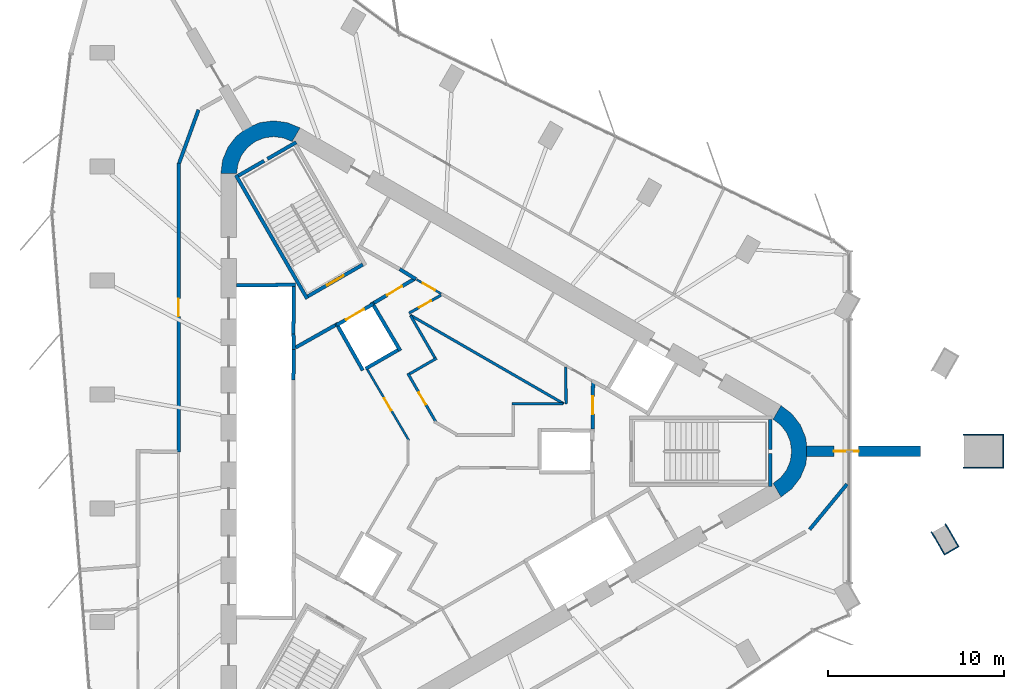
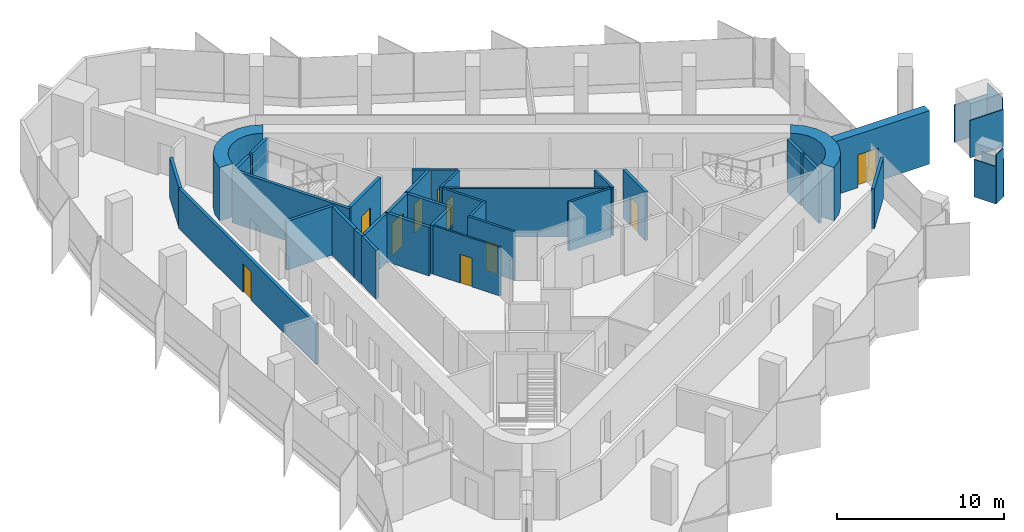
# One storey, part 9 of 12: 39 walls, 10 doors, 10 openings.
"""IFC4 building model written with IfcOpenShell, lengths in metres."""

from ifc_helpers import new_model, si_unit, direction, frame, frame_2d, origin, place, context, subcontext, project, spatial, polyline, rectangle, outline, extrude, material, layer, layer_set, type_object, element, fill, save


model = new_model("IFC4")

# Units and contexts
model_context = context("Model", 3, precision=1e-05, world=origin(), true_north=direction((0.0, 1.0)))
body_context = subcontext(model_context, "Body", "Model", "MODEL_VIEW")
ifc_project = project(units=[si_unit("LENGTHUNIT", "METRE"), si_unit("AREAUNIT", "SQUARE_METRE"), si_unit("VOLUMEUNIT", "CUBIC_METRE"), si_unit("PLANEANGLEUNIT", "RADIAN"), si_unit("MASSUNIT", "GRAM", prefix="KILO")], contexts=[model_context])

# Site, building, storey
site_placement = place(None, origin())
site = spatial("IfcSite", under=ifc_project, at=site_placement, CompositionType="ELEMENT")
building_placement = place(site_placement, origin())
building = spatial("IfcBuilding", under=site, at=building_placement, Name="Tanit Gate Tower", CompositionType="ELEMENT")
storey_placement = place(building_placement, frame((0.0, 0.0, 388.39990234375)))
storey = spatial("IfcBuildingStorey", under=building, at=storey_placement, Name="L89", CompositionType="ELEMENT", Elevation=388.39990234375)

# Wall, opening, door
ifc_material_1 = material(Name="Concrete C40/50", Category="concrete")
ifc_layer_1 = layer(ifc_material_1, 0.60009765625)
ifc_layer_set_1 = layer_set([ifc_layer_1], Name="BUTTRESS FIN 600 C40/50")
wall_type_1 = type_object("IfcWallType", Name="BUTTRESS FIN 600 C40/50", PredefinedType="SHEAR", material=ifc_layer_set_1)
wall_1_placement = place(storey_placement, frame((21.14990234375, 0.0, 0.0), z_axis=(0.0, 0.0, 1.0), x_axis=(1.0, 0.0, 0.0)))
wall_1 = element("IfcWall", 1, at=wall_1_placement, inside=storey, type_object=wall_type_1, Name="BUTTRESS FIN", PredefinedType="SHEAR", context=body_context, shape_type="SweptSolid", body=[
    extrude(rectangle(XDim=6.455078125, YDim=0.60009765625, at=frame_2d((3.2275390625, 0.0))), origin(), (0.0, 0.0, 1.0), 3.900146484375),
])
opening_1_placement = place(wall_1_placement, frame((1.550048828125, 0.0, 0.0)))
opening_1 = element("IfcOpeningElement", 2, at=opening_1_placement, cuts=wall_1, Name="Opening P14-89-F-E-1", PredefinedType="OPENING", context=body_context, shape_type="SweptSolid", body=[
    extrude(rectangle(XDim=1.39990234375, YDim=2.39990234375, at=frame_2d((0.699951171875, 1.199951171875))), frame((0.0, 0.31005859375, 0.0), z_axis=(0.0, -1.0, 0.0), x_axis=(1.0, 0.0, 0.0)), (0.0, 0.0, 1.0), 0.6201171875),
])
ifc_material_2 = material(Name="Timber door leaf", Category="wood")
door_type_1 = type_object("IfcDoorType", Name="INT-DOOR-FIN-PAIR-1400", OperationType="NOTDEFINED", PredefinedType="NOTDEFINED", material=ifc_material_2)
door_1_placement = place(opening_1_placement, origin())
door_1 = element("IfcDoor", 3, at=door_1_placement, inside=storey, type_object=door_type_1, Name="Door P14-89-F-E-1", OperationType="DOUBLE_DOOR_SINGLE_SWING", OverallHeight=2.39990234375, OverallWidth=1.39990234375, PredefinedType="NOTDEFINED", context=body_context, shape_type="SweptSolid", body=[
    extrude(rectangle(XDim=1.39990234375, YDim=2.39990234375, at=frame_2d((0.699951171875, 1.199951171875))), frame((0.0, 0.02490234375, 0.0), z_axis=(0.0, -1.0, 0.0), x_axis=(1.0, 0.0, 0.0)), (0.0, 0.0, 1.0), 0.050048828125),
])
fill(opening_1, door_1)

# Walls
ifc_material_3 = material(Name="Concrete C40/50", Category="concrete")
ifc_layer_2 = layer(ifc_material_3, 0.89990234375)
ifc_layer_set_2 = layer_set([ifc_layer_2], Name="CORE WALL 900 C40/50")
wall_type_2 = type_object("IfcWallType", Name="CORE WALL 900 C40/50", PredefinedType="SHEAR", material=ifc_layer_set_2)
wall_2_placement = place(storey_placement, origin())
element("IfcWall", 4, at=wall_2_placement, inside=storey, type_object=wall_type_2, Name="CORE WALL CORNER", PredefinedType="SHEAR", context=body_context, shape_type="SweptSolid", body=[
    extrude(outline(polyline([(-7.60009765625, 18.359619140625), (-8.323486328125, 18.659423828125), (-9.10009765625, 18.76171875), (-9.87646484375, 18.659423828125), (-10.60009765625, 18.359619140625), (-11.22119140625, 17.883056640625), (-11.697998046875, 17.26171875), (-11.997802734375, 16.5380859375), (-12.10009765625, 15.76171875), (-11.199951171875, 15.76171875), (-11.12841796875, 16.30517578125), (-10.918701171875, 16.811767578125), (-10.5849609375, 17.24658203125), (-10.14990234375, 17.580322265625), (-9.6435546875, 17.7900390625), (-9.10009765625, 17.86181640625), (-8.556396484375, 17.7900390625), (-8.050048828125, 17.580322265625), (-7.60009765625, 18.359619140625)])), origin(), (0.0, 0.0, 1.0), 3.900146484375),
])
wall_3_placement = place(storey_placement, origin())
element("IfcWall", 5, at=wall_3_placement, inside=storey, type_object=wall_type_2, Name="CORE WALL CORNER", PredefinedType="SHEAR", context=body_context, shape_type="SweptSolid", body=[
    extrude(outline(polyline([(19.699951171875, -2.59814453125), (20.3212890625, -2.121337890625), (20.798095703125, -1.5), (21.097900390625, -0.776611328125), (21.199951171875, 0.0), (21.097900390625, 0.776611328125), (20.798095703125, 1.5), (20.3212890625, 2.121337890625), (19.699951171875, 2.59814453125), (19.25, 1.818603515625), (19.684814453125, 1.48486328125), (20.018798828125, 1.050048828125), (20.228515625, 0.54345703125), (20.300048828125, 0.0), (20.228515625, -0.54345703125), (20.018798828125, -1.050048828125), (19.684814453125, -1.48486328125), (19.25, -1.818603515625), (19.699951171875, -2.59814453125)])), origin(), (0.0, 0.0, 1.0), 3.900146484375),
])
ifc_material_4 = material(Name="Bronze anodised aluminium cladding", Category="aluminium")
ifc_layer_3 = layer(ifc_material_4, 0.06005859375)
ifc_layer_set_3 = layer_set([ifc_layer_3], Name="Column casing bronze 60")
wall_type_3 = type_object("IfcWallType", Name="Column casing bronze 60", PredefinedType="SOLIDWALL", material=ifc_layer_set_3)
for number, where, z_axis, x_axis, name in (
    (6, (30.03564453125, 0.929931640625, 0.0), (0.0, 0.0, 1.0), (1.0, 0.0, 0.0), "Column casing L89 M-E.L1"),
    (7, (30.03564453125, -0.929931640625, 0.0), (0.0, 0.0, 1.0), (1.0, 0.0, 0.0), "Column casing L89 M-E.L2"),
):
    element("IfcWall", number, at=place(storey_placement, frame(where, z_axis=z_axis, x_axis=x_axis)), inside=storey, type_object=wall_type_3, Name=name, PredefinedType="SOLIDWALL", context=body_context, shape_type="SweptSolid", body=[
        extrude(rectangle(XDim=2.320068359375, YDim=0.06005859375, at=frame_2d((1.16015625, 0.0))), origin(), (0.0, 0.0, 1.0), 2.736083984375),
    ])
wall_4_placement = place(storey_placement, frame((32.32568359375, -0.89990234375, 0.0), z_axis=(0.0, 0.0, 1.0), x_axis=(0.0, 1.0, 0.0)))
element("IfcWall", 8, at=wall_4_placement, inside=storey, type_object=wall_type_3, Name="Column casing L89 M-E.S1", PredefinedType="SOLIDWALL", context=body_context, shape_type="SweptSolid", body=[
    extrude(rectangle(XDim=1.7998046875, YDim=0.06005859375, at=frame_2d((0.89990234375, 0.0))), origin(), (0.0, 0.0, 1.0), 3.550048828125),
])
for number, where, z_axis, x_axis, name in (
    (9, (29.023681640625, -4.11328125, 0.0), (0.0, 0.0, 1.0), (0.499991248344, -0.866030456496, 0.0), "Column casing L89 P-SE8.L1"),
    (10, (28.235595703125, -4.568115234375, 0.0), (0.0, 0.0, 1.0), (0.499991248344, -0.866030456496, 0.0), "Column casing L89 P-SE8.L2"),
):
    element("IfcWall", number, at=place(storey_placement, frame(where, z_axis=z_axis, x_axis=x_axis)), inside=storey, type_object=wall_type_3, Name=name, PredefinedType="SOLIDWALL", context=body_context, shape_type="SweptSolid", body=[
        extrude(rectangle(XDim=1.52001953125, YDim=0.06005859375, at=frame_2d((0.760009765625, 0.0))), origin(), (0.0, 0.0, 1.0), 2.736083984375),
    ])
wall_5_placement = place(storey_placement, frame((29.006591796875, -5.843505859375, 0.0), z_axis=(0.0, 0.0, 1.0), x_axis=(0.866113839764, 0.499846793097, 0.0)))
element("IfcWall", 11, at=wall_5_placement, inside=storey, type_object=wall_type_3, Name="Column casing L89 P-SE8.S1", PredefinedType="SOLIDWALL", context=body_context, shape_type="SweptSolid", body=[
    extrude(rectangle(XDim=0.849853515625, YDim=0.06005859375, at=frame_2d((0.4248046875, 0.0))), origin(), (0.0, 0.0, 1.0), 3.550048828125),
])
ifc_material_5 = material(Name="Fire-rated gypsum board partition")
ifc_layer_4 = layer(ifc_material_5, 0.199951171875)
ifc_layer_set_4 = layer_set([ifc_layer_4], Name="INT-WALL-COMPARTMENT")
wall_type_4 = type_object("IfcWallType", Name="INT-WALL-COMPARTMENT", PredefinedType="PARTITIONING", material=ifc_layer_set_4)
wall_6_placement = place(storey_placement, frame((-1.940673828125, 10.338623046875, 0.0), z_axis=(0.0, 0.0, 1.0), x_axis=(0.850216889117, -0.526432561171, 0.0)))
element("IfcWall", 12, at=wall_6_placement, inside=storey, type_object=wall_type_4, Name="Wall Compartment W052", PredefinedType="PARTITIONING", context=body_context, shape_type="SweptSolid", body=[
    extrude(rectangle(XDim=1.078369140625, YDim=0.199951171875, at=frame_2d((0.5390625, 0.0))), origin(), (0.0, 0.0, 1.0), 3.550048828125),
])

# Wall, opening, door
wall_7_placement = place(storey_placement, frame((9.0009765625, 1.27001953125, 0.0), z_axis=(0.0, 0.0, 1.0), x_axis=(0.010723968736, 0.999942496594, 0.0)))
wall_7 = element("IfcWall", 13, at=wall_7_placement, inside=storey, type_object=wall_type_4, Name="Wall Compartment W065", PredefinedType="PARTITIONING", context=body_context, shape_type="SweptSolid", body=[
    extrude(rectangle(XDim=2.709228515625, YDim=0.199951171875, at=frame_2d((1.3544921875, 0.0))), origin(), (0.0, 0.0, 1.0), 3.550048828125),
])
opening_2_placement = place(wall_7_placement, frame((0.848388671875, 0.0, 0.0)))
opening_2 = element("IfcOpeningElement", 14, at=opening_2_placement, cuts=wall_7, Name="Opening F10-89-02", PredefinedType="OPENING", context=body_context, shape_type="SweptSolid", body=[
    extrude(rectangle(XDim=1.0, YDim=2.10009765625, at=frame_2d((0.5, 1.050048828125))), frame((0.0, 0.10986328125, 0.0), z_axis=(0.0, -1.0, 0.0), x_axis=(1.0, 0.0, 0.0)), (0.0, 0.0, 1.0), 0.219970703125),
])
ifc_material_6 = material(Name="Fire-rated steel door leaf", Category="steel")
door_type_2 = type_object("IfcDoorType", Name="INT-DOOR-FIRE-1000", OperationType="NOTDEFINED", PredefinedType="USERDEFINED", material=ifc_material_6)
door_2_placement = place(opening_2_placement, origin())
door_2 = element("IfcDoor", 15, at=door_2_placement, inside=storey, type_object=door_type_2, Name="Door F10-89-02", ObjectType="FIRE DOOR", OperationType="SINGLE_SWING_LEFT", OverallHeight=2.10009765625, OverallWidth=1.0, PredefinedType="USERDEFINED", context=body_context, shape_type="SweptSolid", body=[
    extrude(rectangle(XDim=1.0, YDim=2.10009765625, at=frame_2d((0.5, 1.050048828125))), frame((0.0, 0.02490234375, 0.0), z_axis=(0.0, -1.0, 0.0), x_axis=(1.0, 0.0, 0.0)), (0.0, 0.0, 1.0), 0.050048828125),
])
fill(opening_2, door_2)

# Wall
wall_8_placement = place(storey_placement, frame((-5.600341796875, 7.16015625, 0.0), z_axis=(0.0, 0.0, 1.0), x_axis=(-0.871340486379, -0.490678873396, 0.0)))
element("IfcWall", 16, at=wall_8_placement, inside=storey, type_object=wall_type_4, Name="Wall Compartment W066", PredefinedType="PARTITIONING", context=body_context, shape_type="SweptSolid", body=[
    extrude(rectangle(XDim=2.580810546875, YDim=0.199951171875, at=frame_2d((1.29052734375, 0.0))), origin(), (0.0, 0.0, 1.0), 3.550048828125),
])

# Wall, opening, door
wall_9_placement = place(storey_placement, frame((-1.069091796875, 9.809814453125, 0.0), z_axis=(0.0, 0.0, 1.0), x_axis=(-0.860617791406, -0.509251428192, 0.0)))
wall_9 = element("IfcWall", 17, at=wall_9_placement, inside=storey, type_object=wall_type_4, Name="Wall Compartment W067", PredefinedType="PARTITIONING", context=body_context, shape_type="SweptSolid", body=[
    extrude(rectangle(XDim=2.709228515625, YDim=0.199951171875, at=frame_2d((1.3544921875, 0.0))), origin(), (0.0, 0.0, 1.0), 3.550048828125),
])
opening_3_placement = place(wall_9_placement, frame((0.86083984375, 0.0, 0.0)))
opening_3 = element("IfcOpeningElement", 18, at=opening_3_placement, cuts=wall_9, Name="Opening F10-89-05", PredefinedType="OPENING", context=body_context, shape_type="SweptSolid", body=[
    extrude(rectangle(XDim=1.0, YDim=2.10009765625, at=frame_2d((0.5, 1.050048828125))), frame((0.0, 0.10986328125, 0.0), z_axis=(0.0, -1.0, 0.0), x_axis=(1.0, 0.0, 0.0)), (0.0, 0.0, 1.0), 0.219970703125),
])
door_3_placement = place(opening_3_placement, origin())
door_3 = element("IfcDoor", 19, at=door_3_placement, inside=storey, type_object=door_type_2, Name="Door F10-89-05", ObjectType="FIRE DOOR", OperationType="SINGLE_SWING_RIGHT", OverallHeight=2.10009765625, OverallWidth=1.0, PredefinedType="USERDEFINED", context=body_context, shape_type="SweptSolid", body=[
    extrude(rectangle(XDim=1.0, YDim=2.10009765625, at=frame_2d((0.5, 1.050048828125))), frame((0.0, 0.02490234375, 0.0), z_axis=(0.0, -1.0, 0.0), x_axis=(1.0, 0.0, 0.0)), (0.0, 0.0, 1.0), 0.050048828125),
])
fill(opening_3, door_3)

wall_10_placement = place(storey_placement, frame((-14.5, 16.3642578125, 0.0), z_axis=(0.0, 0.0, 1.0), x_axis=(0.0, -1.0, 0.0)))
wall_10 = element("IfcWall", 20, at=wall_10_placement, inside=storey, type_object=wall_type_4, Name="Wall Compartment W090", PredefinedType="PARTITIONING", context=body_context, shape_type="SweptSolid", body=[
    extrude(rectangle(XDim=16.414306640625, YDim=0.199951171875, at=frame_2d((8.20703125, 0.0))), origin(), (0.0, 0.0, 1.0), 2.920166015625),
])
opening_4_placement = place(wall_10_placement, frame((7.699951171875, 0.0, 0.0)))
opening_4 = element("IfcOpeningElement", 21, at=opening_4_placement, cuts=wall_10, Name="Opening F10-89-20", PredefinedType="OPENING", context=body_context, shape_type="SweptSolid", body=[
    extrude(rectangle(XDim=1.0, YDim=2.10009765625, at=frame_2d((0.5, 1.050048828125))), frame((0.0, 0.10986328125, 0.0), z_axis=(0.0, -1.0, 0.0), x_axis=(1.0, 0.0, 0.0)), (0.0, 0.0, 1.0), 0.219970703125),
])
door_4_placement = place(opening_4_placement, origin())
door_4 = element("IfcDoor", 22, at=door_4_placement, inside=storey, type_object=door_type_2, Name="Door F10-89-20", ObjectType="FIRE DOOR", OperationType="SINGLE_SWING_LEFT", OverallHeight=2.10009765625, OverallWidth=1.0, PredefinedType="USERDEFINED", context=body_context, shape_type="SweptSolid", body=[
    extrude(rectangle(XDim=1.0, YDim=2.10009765625, at=frame_2d((0.5, 1.050048828125))), frame((0.0, 0.02490234375, 0.0), z_axis=(0.0, -1.0, 0.0), x_axis=(1.0, 0.0, 0.0)), (0.0, 0.0, 1.0), 0.050048828125),
])
fill(opening_4, door_4)

# Walls
wall_11_placement = place(storey_placement, frame((-13.364013671875, 19.38525390625, 0.0), z_axis=(0.0, 0.0, 1.0), x_axis=(-0.342029048316, -0.939689379587, 0.0)))
element("IfcWall", 23, at=wall_11_placement, inside=storey, type_object=wall_type_4, Name="Wall Compartment W091", PredefinedType="PARTITIONING", context=body_context, shape_type="SweptSolid", body=[
    extrude(rectangle(XDim=3.221435546875, YDim=0.199951171875, at=frame_2d((1.61083984375, 0.0))), origin(), (0.0, 0.0, 1.0), 2.920166015625),
])
wall_12_placement = place(storey_placement, frame((21.32373046875, -4.439208984375, 0.0), z_axis=(0.0, 0.0, 1.0), x_axis=(0.635850800991, 0.771811997108, 0.0)))
element("IfcWall", 24, at=wall_12_placement, inside=storey, type_object=wall_type_4, Name="Wall Compartment W120", PredefinedType="PARTITIONING", context=body_context, shape_type="SweptSolid", body=[
    extrude(rectangle(XDim=3.338134765625, YDim=0.199951171875, at=frame_2d((1.6689453125, 0.0))), origin(), (0.0, 0.0, 1.0), 2.920166015625),
])

# Wall, opening, door
ifc_material_7 = material(Name="Gypsum board partition")
ifc_layer_5 = layer(ifc_material_7, 0.1201171875)
ifc_layer_set_5 = layer_set([ifc_layer_5], Name="INT-WALL-PARTITION")
wall_type_5 = type_object("IfcWallType", Name="INT-WALL-PARTITION", PredefinedType="PARTITIONING", material=ifc_layer_set_5)
wall_13_placement = place(storey_placement, frame((-0.980712890625, 9.74609375, 0.0), z_axis=(0.0, 0.0, 1.0), x_axis=(0.866019818373, -0.500009674092, 0.0)))
wall_13 = element("IfcWall", 25, at=wall_13_placement, inside=storey, type_object=wall_type_5, Name="Wall Partition W054", PredefinedType="PARTITIONING", context=body_context, shape_type="SweptSolid", body=[
    extrude(rectangle(XDim=1.59423828125, YDim=0.1201171875, at=frame_2d((0.797119140625, 0.0))), origin(), (0.0, 0.0, 1.0), 3.550048828125),
])
opening_5_placement = place(wall_13_placement, frame((0.397216796875, 0.0, 0.0)))
opening_5 = element("IfcOpeningElement", 26, at=opening_5_placement, cuts=wall_13, Name="Opening R08-89-15", PredefinedType="OPENING", context=body_context, shape_type="SweptSolid", body=[
    extrude(rectangle(XDim=0.800048828125, YDim=2.10009765625, at=frame_2d((0.39990234375, 1.050048828125))), frame((0.0, 0.070068359375, 0.0), z_axis=(0.0, -1.0, 0.0), x_axis=(1.0, 0.0, 0.0)), (0.0, 0.0, 1.0), 0.14013671875),
])
ifc_material_8 = material(Name="Timber door leaf", Category="wood")
door_type_3 = type_object("IfcDoorType", Name="INT-DOOR-RISER-800", OperationType="NOTDEFINED", PredefinedType="USERDEFINED", material=ifc_material_8)
door_5_placement = place(opening_5_placement, origin())
door_5 = element("IfcDoor", 27, at=door_5_placement, inside=storey, type_object=door_type_3, Name="Door R08-89-15", ObjectType="FIRE DOOR", OperationType="SINGLE_SWING_RIGHT", OverallHeight=2.10009765625, OverallWidth=0.800048828125, PredefinedType="USERDEFINED", context=body_context, shape_type="SweptSolid", body=[
    extrude(rectangle(XDim=0.800048828125, YDim=2.10009765625, at=frame_2d((0.39990234375, 1.050048828125))), frame((0.0, 0.02490234375, 0.0), z_axis=(0.0, -1.0, 0.0), x_axis=(1.0, 0.0, 0.0)), (0.0, 0.0, 1.0), 0.050048828125),
])
fill(opening_5, door_5)

wall_14_placement = place(storey_placement, frame((-1.42041015625, 0.611572265625, 0.0), z_axis=(0.0, 0.0, 1.0), x_axis=(-0.505492266403, 0.862831135627, 0.0)))
wall_14 = element("IfcWall", 28, at=wall_14_placement, inside=storey, type_object=wall_type_5, Name="Wall Partition W070", PredefinedType="PARTITIONING", context=body_context, shape_type="SweptSolid", body=[
    extrude(rectangle(XDim=4.66015625, YDim=0.1201171875, at=frame_2d((2.330078125, 0.0))), origin(), (0.0, 0.0, 1.0), 3.550048828125),
])
opening_6_placement = place(wall_14_placement, frame((1.981201171875, 0.0, 0.0)))
opening_6 = element("IfcOpeningElement", 29, at=opening_6_placement, cuts=wall_14, Name="Opening R08-89-10", PredefinedType="OPENING", context=body_context, shape_type="SweptSolid", body=[
    extrude(rectangle(XDim=0.800048828125, YDim=2.10009765625, at=frame_2d((0.39990234375, 1.050048828125))), frame((0.0, 0.070068359375, 0.0), z_axis=(0.0, -1.0, 0.0), x_axis=(1.0, 0.0, 0.0)), (0.0, 0.0, 1.0), 0.14013671875),
])
door_6_placement = place(opening_6_placement, origin())
door_6 = element("IfcDoor", 30, at=door_6_placement, inside=storey, type_object=door_type_3, Name="Door R08-89-10", ObjectType="FIRE DOOR", OperationType="SINGLE_SWING_RIGHT", OverallHeight=2.10009765625, OverallWidth=0.800048828125, PredefinedType="USERDEFINED", context=body_context, shape_type="SweptSolid", body=[
    extrude(rectangle(XDim=0.800048828125, YDim=2.10009765625, at=frame_2d((0.39990234375, 1.050048828125))), frame((0.0, 0.02490234375, 0.0), z_axis=(0.0, -1.0, 0.0), x_axis=(1.0, 0.0, 0.0)), (0.0, 0.0, 1.0), 0.050048828125),
])
fill(opening_6, door_6)

# Wall
ifc_material_9 = material(Name="Fire-rated gypsum board partition")
ifc_layer_6 = layer(ifc_material_9, 0.14990234375)
ifc_layer_set_6 = layer_set([ifc_layer_6], Name="INT-WALL-RISER")
wall_type_6 = type_object("IfcWallType", Name="INT-WALL-RISER", PredefinedType="PLUMBINGWALL", material=ifc_layer_set_6)
wall_15_placement = place(storey_placement, frame((7.36669921875, 2.699951171875, 0.0), z_axis=(0.0, 0.0, 1.0), x_axis=(-0.866027158831, 0.499996960157, 0.0)))
element("IfcWall", 31, at=wall_15_placement, inside=storey, type_object=wall_type_6, Name="Wall Riser W079", PredefinedType="PLUMBINGWALL", context=body_context, shape_type="SweptSolid", body=[
    extrude(rectangle(XDim=10.0595703125, YDim=0.14990234375, at=frame_2d((5.02978515625, 0.0))), origin(), (0.0, 0.0, 1.0), 3.550048828125),
])

# Wall, opening, door
wall_16_placement = place(storey_placement, frame((0.399169921875, 8.862548828125, 0.0), z_axis=(0.0, 0.0, 1.0), x_axis=(-0.871829693343, -0.489809132016, 0.0)))
wall_16 = element("IfcWall", 32, at=wall_16_placement, inside=storey, type_object=wall_type_6, Name="Wall Riser W080", PredefinedType="PLUMBINGWALL", context=body_context, shape_type="SweptSolid", body=[
    extrude(rectangle(XDim=2.076904296875, YDim=0.14990234375, at=frame_2d((1.03857421875, 0.0))), origin(), (0.0, 0.0, 1.0), 3.550048828125),
])
opening_7_placement = place(wall_16_placement, frame((0.638671875, 0.0, 0.0)))
opening_7 = element("IfcOpeningElement", 33, at=opening_7_placement, cuts=wall_16, Name="Opening R08-89-12", PredefinedType="OPENING", context=body_context, shape_type="SweptSolid", body=[
    extrude(rectangle(XDim=0.800048828125, YDim=2.10009765625, at=frame_2d((0.39990234375, 1.050048828125))), frame((0.0, 0.0849609375, 0.0), z_axis=(0.0, -1.0, 0.0), x_axis=(1.0, 0.0, 0.0)), (0.0, 0.0, 1.0), 0.169921875),
])
door_7_placement = place(opening_7_placement, origin())
door_7 = element("IfcDoor", 34, at=door_7_placement, inside=storey, type_object=door_type_3, Name="Door R08-89-12", ObjectType="FIRE DOOR", OperationType="SINGLE_SWING_RIGHT", OverallHeight=2.10009765625, OverallWidth=0.800048828125, PredefinedType="USERDEFINED", context=body_context, shape_type="SweptSolid", body=[
    extrude(rectangle(XDim=0.800048828125, YDim=2.10009765625, at=frame_2d((0.39990234375, 1.050048828125))), frame((0.0, 0.02490234375, 0.0), z_axis=(0.0, -1.0, 0.0), x_axis=(1.0, 0.0, 0.0)), (0.0, 0.0, 1.0), 0.050048828125),
])
fill(opening_7, door_7)

# Walls
wall_17_placement = place(storey_placement, frame((7.5, 2.699951171875, 0.0), z_axis=(0.0, 0.0, 1.0), x_axis=(-0.011755594881, 0.999930900607, 0.0)))
element("IfcWall", 35, at=wall_17_placement, inside=storey, type_object=wall_type_6, Name="Wall Riser W081", PredefinedType="PLUMBINGWALL", context=body_context, shape_type="SweptSolid", body=[
    extrude(rectangle(XDim=2.076904296875, YDim=0.14990234375, at=frame_2d((1.03857421875, 0.0))), origin(), (0.0, 0.0, 1.0), 3.550048828125),
])
wall_18_placement = place(storey_placement, frame((4.425048828125, 2.699951171875, 0.0), z_axis=(0.0, 0.0, 1.0), x_axis=(1.0, 0.0, 0.0)))
element("IfcWall", 36, at=wall_18_placement, inside=storey, type_object=wall_type_6, Name="Wall Riser W082", PredefinedType="PLUMBINGWALL", context=body_context, shape_type="SweptSolid", body=[
    extrude(rectangle(XDim=2.911865234375, YDim=0.14990234375, at=frame_2d((1.4560546875, 0.0))), origin(), (0.0, 0.0, 1.0), 3.550048828125),
])

# Wall, opening, door
wall_19_placement = place(storey_placement, frame((-1.486328125, 4.424560546875, 0.0), z_axis=(0.0, 0.0, 1.0), x_axis=(0.499992422807, -0.866029778435, 0.0)))
wall_19 = element("IfcWall", 37, at=wall_19_placement, inside=storey, type_object=wall_type_6, Name="Wall Riser W086", PredefinedType="PLUMBINGWALL", context=body_context, shape_type="SweptSolid", body=[
    extrude(rectangle(XDim=3.20947265625, YDim=0.14990234375, at=frame_2d((1.604736328125, 0.0))), origin(), (0.0, 0.0, 1.0), 3.550048828125),
])
opening_8_placement = place(wall_19_placement, frame((1.2421875, 0.0, 0.0)))
opening_8 = element("IfcOpeningElement", 38, at=opening_8_placement, cuts=wall_19, Name="Opening R08-89-13", PredefinedType="OPENING", context=body_context, shape_type="SweptSolid", body=[
    extrude(rectangle(XDim=0.800048828125, YDim=2.10009765625, at=frame_2d((0.39990234375, 1.050048828125))), frame((0.0, 0.0849609375, 0.0), z_axis=(0.0, -1.0, 0.0), x_axis=(1.0, 0.0, 0.0)), (0.0, 0.0, 1.0), 0.169921875),
])
door_8_placement = place(opening_8_placement, origin())
door_8 = element("IfcDoor", 39, at=door_8_placement, inside=storey, type_object=door_type_3, Name="Door R08-89-13", ObjectType="FIRE DOOR", OperationType="SINGLE_SWING_LEFT", OverallHeight=2.10009765625, OverallWidth=0.800048828125, PredefinedType="USERDEFINED", context=body_context, shape_type="SweptSolid", body=[
    extrude(rectangle(XDim=0.800048828125, YDim=2.10009765625, at=frame_2d((0.39990234375, 1.050048828125))), frame((0.0, 0.02490234375, 0.0), z_axis=(0.0, -1.0, 0.0), x_axis=(1.0, 0.0, 0.0)), (0.0, 0.0, 1.0), 0.050048828125),
])
fill(opening_8, door_8)

# Walls
wall_20_placement = place(storey_placement, frame((0.1533203125, 5.28466796875, 0.0), z_axis=(0.0, 0.0, 1.0), x_axis=(-0.866059624469, -0.499940723351, 0.0)))
element("IfcWall", 40, at=wall_20_placement, inside=storey, type_object=wall_type_6, Name="Wall Riser W087", PredefinedType="PLUMBINGWALL", context=body_context, shape_type="SweptSolid", body=[
    extrude(rectangle(XDim=1.775146484375, YDim=0.14990234375, at=frame_2d((0.8876953125, 0.0))), origin(), (0.0, 0.0, 1.0), 3.550048828125),
])
wall_21_placement = place(storey_placement, frame((-1.330078125, 7.703857421875, 0.0), z_axis=(0.0, 0.0, 1.0), x_axis=(0.499980071345, -0.866036909293, 0.0)))
element("IfcWall", 41, at=wall_21_placement, inside=storey, type_object=wall_type_6, Name="Wall Riser W088", PredefinedType="PLUMBINGWALL", context=body_context, shape_type="SweptSolid", body=[
    extrude(rectangle(XDim=2.76171875, YDim=0.14990234375, at=frame_2d((1.380859375, 0.0))), origin(), (0.0, 0.0, 1.0), 3.550048828125),
])
ifc_material_10 = material(Name="Gypsum shaft wall system")
ifc_layer_7 = layer(ifc_material_10, 0.199951171875)
ifc_layer_set_7 = layer_set([ifc_layer_7], Name="INT-WALL-SHAFT")
wall_type_7 = type_object("IfcWallType", Name="INT-WALL-SHAFT", PredefinedType="PLUMBINGWALL", material=ifc_layer_set_7)
wall_22_placement = place(storey_placement, frame((-11.199951171875, 9.419921875, 0.0), z_axis=(0.0, 0.0, 1.0), x_axis=(0.999957167047, 0.009255488683, 0.0)))
element("IfcWall", 42, at=wall_22_placement, inside=storey, type_object=wall_type_7, Name="Wall Shaft W001", PredefinedType="PLUMBINGWALL", context=body_context, shape_type="SweptSolid", body=[
    extrude(rectangle(XDim=3.35009765625, YDim=0.199951171875, at=frame_2d((1.675048828125, 0.0))), origin(), (0.0, 0.0, 1.0), 3.550048828125),
])
wall_23_placement = place(storey_placement, frame((-7.951171875, 9.35009765625, 0.0), z_axis=(0.0, 0.0, 1.0), x_axis=(-0.011120469654, -0.999938165666, 0.0)))
element("IfcWall", 43, at=wall_23_placement, inside=storey, type_object=wall_type_7, Name="Wall Shaft W002", PredefinedType="PLUMBINGWALL", context=body_context, shape_type="SweptSolid", body=[
    extrude(rectangle(XDim=2.700439453125, YDim=0.199951171875, at=frame_2d((1.35009765625, 0.0))), origin(), (0.0, 0.0, 1.0), 3.550048828125),
])
wall_24_placement = place(storey_placement, frame((-7.97705078125, 6.650146484375, 0.0), z_axis=(0.0, 0.0, 1.0), x_axis=(0.030861509705, -0.999523670164, 0.0)))
element("IfcWall", 44, at=wall_24_placement, inside=storey, type_object=wall_type_7, Name="Wall Shaft W003", PredefinedType="PLUMBINGWALL", context=body_context, shape_type="SweptSolid", body=[
    extrude(rectangle(XDim=0.878173828125, YDim=0.199951171875, at=frame_2d((0.43896484375, 0.0))), origin(), (0.0, 0.0, 1.0), 3.550048828125),
])
wall_25_placement = place(storey_placement, frame((-7.948974609375, 5.894287109375, 0.0), z_axis=(0.0, 0.0, 1.0), x_axis=(-0.016809909365, -0.999858703491, 0.0)))
element("IfcWall", 45, at=wall_25_placement, inside=storey, type_object=wall_type_7, Name="Wall Shaft W004", PredefinedType="PLUMBINGWALL", context=body_context, shape_type="SweptSolid", body=[
    extrude(rectangle(XDim=1.844482421875, YDim=0.199951171875, at=frame_2d((0.92236328125, 0.0))), origin(), (0.0, 0.0, 1.0), 3.550048828125),
])

# Wall, opening, door
wall_26_placement = place(storey_placement, frame((-5.524169921875, 7.168212890625, 0.0), z_axis=(0.0, 0.0, 1.0), x_axis=(0.866024647952, 0.500001309137, 0.0)))
wall_26 = element("IfcWall", 46, at=wall_26_placement, inside=storey, type_object=wall_type_7, Name="Wall Shaft W034", PredefinedType="PLUMBINGWALL", context=body_context, shape_type="SweptSolid", body=[
    extrude(rectangle(XDim=2.39990234375, YDim=0.199951171875, at=frame_2d((1.199951171875, 0.0))), origin(), (0.0, 0.0, 1.0), 3.550048828125),
])
opening_9_placement = place(wall_26_placement, frame((0.60009765625, 0.0, 0.0)))
opening_9 = element("IfcOpeningElement", 47, at=opening_9_placement, cuts=wall_26, Name="Opening LDFL2-L89", PredefinedType="OPENING", context=body_context, shape_type="SweptSolid", body=[
    extrude(rectangle(XDim=1.199951171875, YDim=2.39990234375, at=frame_2d((0.60009765625, 1.199951171875))), frame((0.0, 0.10986328125, 0.0), z_axis=(0.0, -1.0, 0.0), x_axis=(1.0, 0.0, 0.0)), (0.0, 0.0, 1.0), 0.219970703125),
])
ifc_material_11 = material(Name="Stainless steel sliding door leaf", Category="steel")
door_type_4 = type_object("IfcDoorType", Name="INT-DOOR-LANDING-1200", OperationType="NOTDEFINED", PredefinedType="USERDEFINED", material=ifc_material_11)
door_9_placement = place(opening_9_placement, origin())
door_9 = element("IfcDoor", 48, at=door_9_placement, inside=storey, type_object=door_type_4, Name="Door LDFL2-L89", ObjectType="LANDING DOOR", OperationType="SLIDING_TO_LEFT", OverallHeight=2.39990234375, OverallWidth=1.199951171875, PredefinedType="USERDEFINED", context=body_context, shape_type="SweptSolid", body=[
    extrude(rectangle(XDim=1.199951171875, YDim=2.39990234375, at=frame_2d((0.60009765625, 1.199951171875))), frame((0.0, 0.02490234375, 0.0), z_axis=(0.0, -1.0, 0.0), x_axis=(1.0, 0.0, 0.0)), (0.0, 0.0, 1.0), 0.050048828125),
])
fill(opening_9, door_9)

# Walls
wall_27_placement = place(storey_placement, frame((-4.039306640625, 4.59619140625, 0.0), z_axis=(0.0, 0.0, 1.0), x_axis=(-0.491322718731, 0.870977603649, 0.0)))
element("IfcWall", 49, at=wall_27_placement, inside=storey, type_object=wall_type_7, Name="Wall Shaft W035", PredefinedType="PLUMBINGWALL", context=body_context, shape_type="SweptSolid", body=[
    extrude(rectangle(XDim=3.10009765625, YDim=0.199951171875, at=frame_2d((1.550048828125, 0.0))), origin(), (0.0, 0.0, 1.0), 3.550048828125),
])
wall_28_placement = place(storey_placement, frame((-3.53759765625, 8.46533203125, 0.0), z_axis=(0.0, 0.0, 1.0), x_axis=(0.508616218331, -0.860993346345, 0.0)))
element("IfcWall", 50, at=wall_28_placement, inside=storey, type_object=wall_type_7, Name="Wall Shaft W036", PredefinedType="PLUMBINGWALL", context=body_context, shape_type="SweptSolid", body=[
    extrude(rectangle(XDim=3.2001953125, YDim=0.199951171875, at=frame_2d((1.60009765625, 0.0))), origin(), (0.0, 0.0, 1.0), 3.550048828125),
])
wall_29_placement = place(storey_placement, frame((-2.04736328125, 5.74609375, 0.0), z_axis=(0.0, 0.0, 1.0), x_axis=(-0.866060616833, -0.499939004251, 0.0)))
element("IfcWall", 51, at=wall_29_placement, inside=storey, type_object=wall_type_7, Name="Wall Shaft W037", PredefinedType="PLUMBINGWALL", context=body_context, shape_type="SweptSolid", body=[
    extrude(rectangle(XDim=2.114501953125, YDim=0.199951171875, at=frame_2d((1.05712890625, 0.0))), origin(), (0.0, 0.0, 1.0), 3.550048828125),
])
ifc_material_12 = material(Name="Concrete C40/50", Category="concrete")
ifc_layer_8 = layer(ifc_material_12, 0.199951171875)
ifc_layer_set_8 = layer_set([ifc_layer_8], Name="INT-WALL-STAIR")
wall_type_8 = type_object("IfcWallType", Name="INT-WALL-STAIR", PredefinedType="SHEAR", material=ifc_layer_set_8)
wall_30_placement = place(storey_placement, frame((19.10009765625, -2.0, -0.2998046875), z_axis=(0.0, 0.0, 1.0), x_axis=(0.0, 1.0, 0.0)))
element("IfcWall", 52, at=wall_30_placement, inside=storey, type_object=wall_type_8, Name="Wall Stair W022", PredefinedType="SHEAR", context=body_context, shape_type="SweptSolid", body=[
    extrude(rectangle(XDim=1.889892578125, YDim=0.199951171875, at=frame_2d((0.94482421875, 0.0))), origin(), (0.0, 0.0, 1.0), 3.849853515625),
])
wall_31_placement = place(storey_placement, frame((19.10009765625, 0.110107421875, -0.2998046875), z_axis=(0.0, 0.0, 1.0), x_axis=(0.0, 1.0, 0.0)))
element("IfcWall", 53, at=wall_31_placement, inside=storey, type_object=wall_type_8, Name="Wall Stair W021", PredefinedType="SHEAR", context=body_context, shape_type="SweptSolid", body=[
    extrude(rectangle(XDim=1.68994140625, YDim=0.199951171875, at=frame_2d((0.844970703125, 0.0))), origin(), (0.0, 0.0, 1.0), 3.849853515625),
])
wall_32_placement = place(storey_placement, frame((-11.245361328125, 15.677734375, -0.2998046875), z_axis=(0.0, 0.0, 1.0), x_axis=(0.499977274689, -0.866038523851, 0.0)))
element("IfcWall", 54, at=wall_32_placement, inside=storey, type_object=wall_type_8, Name="Wall Stair W029", PredefinedType="SHEAR", context=body_context, shape_type="SweptSolid", body=[
    extrude(rectangle(XDim=8.10009765625, YDim=0.199951171875, at=frame_2d((4.050048828125, 0.0))), origin(), (0.0, 0.0, 1.0), 3.849853515625),
])
wall_33_placement = place(storey_placement, frame((-7.81787109375, 17.541015625, -0.2998046875), z_axis=(0.0, 0.0, 1.0), x_axis=(-0.866088799389, -0.499890179513, 0.0)))
element("IfcWall", 55, at=wall_33_placement, inside=storey, type_object=wall_type_8, Name="Wall Stair W031", PredefinedType="SHEAR", context=body_context, shape_type="SweptSolid", body=[
    extrude(rectangle(XDim=1.89013671875, YDim=0.199951171875, at=frame_2d((0.945068359375, 0.0))), origin(), (0.0, 0.0, 1.0), 3.849853515625),
])
wall_34_placement = place(storey_placement, frame((-9.645263671875, 16.486083984375, -0.2998046875), z_axis=(0.0, 0.0, 1.0), x_axis=(-0.866038843867, -0.499976720371, 0.0)))
element("IfcWall", 56, at=wall_34_placement, inside=storey, type_object=wall_type_8, Name="Wall Stair W030", PredefinedType="SHEAR", context=body_context, shape_type="SweptSolid", body=[
    extrude(rectangle(XDim=1.68994140625, YDim=0.199951171875, at=frame_2d((0.844970703125, 0.0))), origin(), (0.0, 0.0, 1.0), 3.849853515625),
])

# Wall, opening, door
wall_35_placement = place(storey_placement, frame((-7.158935546875, 8.799560546875, -0.2998046875), z_axis=(0.0, 0.0, 1.0), x_axis=(0.866047807691, 0.499961193289, 0.0)))
wall_35 = element("IfcWall", 57, at=wall_35_placement, inside=storey, type_object=wall_type_8, Name="Wall Stair W033", PredefinedType="SHEAR", context=body_context, shape_type="SweptSolid", body=[
    extrude(rectangle(XDim=3.599853515625, YDim=0.199951171875, at=frame_2d((1.7998046875, 0.0))), origin(), (0.0, 0.0, 1.0), 3.849853515625),
])
opening_10_placement = place(wall_35_placement, frame((1.25, 0.0, 0.300048828125)))
opening_10 = element("IfcOpeningElement", 58, at=opening_10_placement, cuts=wall_35, Name="Opening S11-89-04", PredefinedType="OPENING", context=body_context, shape_type="SweptSolid", body=[
    extrude(rectangle(XDim=1.10009765625, YDim=2.10009765625, at=frame_2d((0.550048828125, 1.050048828125))), frame((0.0, 0.10986328125, 0.0), z_axis=(0.0, -1.0, 0.0), x_axis=(1.0, 0.0, 0.0)), (0.0, 0.0, 1.0), 0.219970703125),
])
ifc_material_13 = material(Name="Timber door leaf", Category="wood")
door_type_5 = type_object("IfcDoorType", Name="INT-DOOR-STAIR-1100", OperationType="NOTDEFINED", PredefinedType="USERDEFINED", material=ifc_material_13)
door_10_placement = place(opening_10_placement, origin())
door_10 = element("IfcDoor", 59, at=door_10_placement, inside=storey, type_object=door_type_5, Name="Door S11-89-04", ObjectType="FIRE DOOR", OperationType="SINGLE_SWING_RIGHT", OverallHeight=2.10009765625, OverallWidth=1.10009765625, PredefinedType="USERDEFINED", context=body_context, shape_type="SweptSolid", body=[
    extrude(rectangle(XDim=1.10009765625, YDim=2.10009765625, at=frame_2d((0.550048828125, 1.050048828125))), frame((0.0, 0.02490234375, 0.0), z_axis=(0.0, -1.0, 0.0), x_axis=(1.0, 0.0, 0.0)), (0.0, 0.0, 1.0), 0.050048828125),
])
fill(opening_10, door_10)

save(model, "model.ifc")
